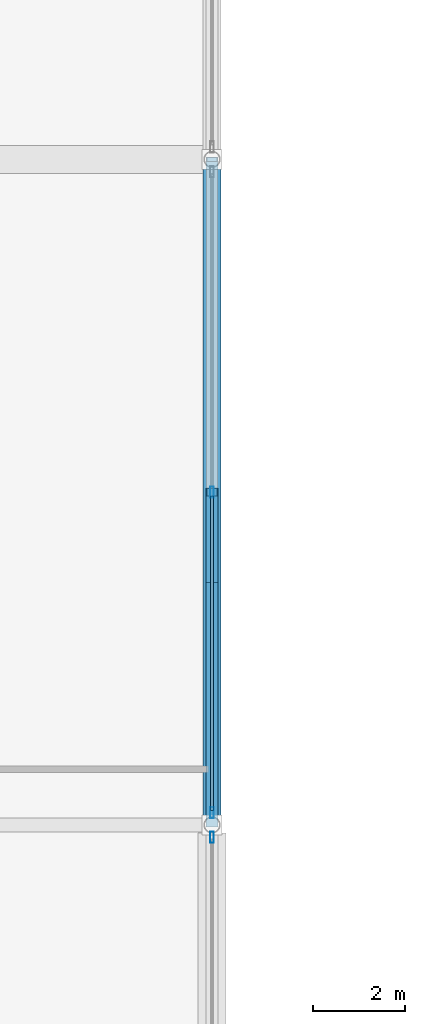
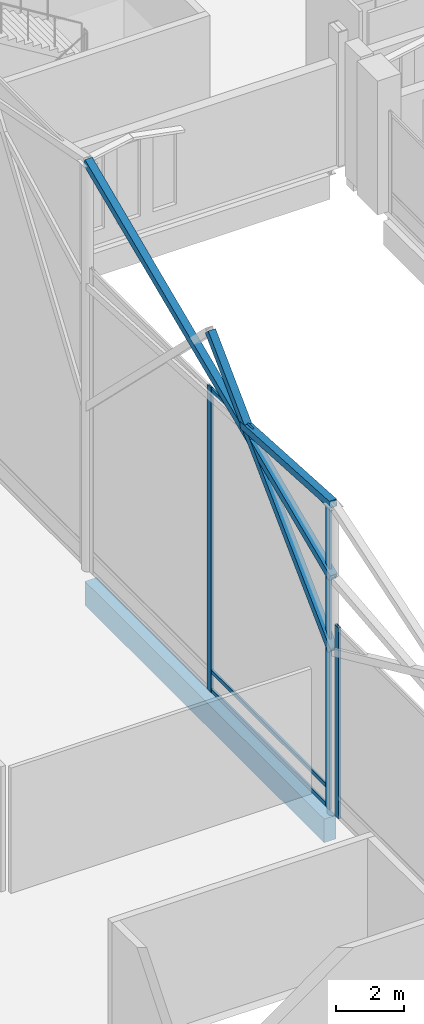
# One storey, part 65 of 220: 9 members, 1 beam, 2 elements without a shape of their own.
"""IFC4 building model written with IfcOpenShell, lengths in metres."""

from ifc_helpers import new_model, si_unit, direction, frame, origin, origin_2d, place, context, subcontext, project, spatial, rectangle, hollow_rectangle, extrude, material, material_profile, profile_set, type_object, element, aggregate, save


model = new_model("IFC4")

# Units and contexts
model_context = context("Model", 3, precision=1e-05, world=origin(), true_north=direction((0.0, 1.0)))
body_context = subcontext(model_context, "Body", "Model", "MODEL_VIEW")
ifc_project = project(units=[si_unit("LENGTHUNIT", "METRE"), si_unit("AREAUNIT", "SQUARE_METRE"), si_unit("VOLUMEUNIT", "CUBIC_METRE"), si_unit("PLANEANGLEUNIT", "RADIAN"), si_unit("MASSUNIT", "GRAM", prefix="KILO")], contexts=[model_context])

# Site, building, storey
site_placement = place(None, origin())
site = spatial("IfcSite", under=ifc_project, at=site_placement, CompositionType="ELEMENT")
building_placement = place(site_placement, origin())
building = spatial("IfcBuilding", under=site, at=building_placement, Name="Cendralis Lancet Convention Centre", CompositionType="ELEMENT")
storey_placement = place(building_placement, frame((0.0, 0.0, 5.39990234375)))
storey = spatial("IfcBuildingStorey", under=building, at=storey_placement, Name="L01", CompositionType="ELEMENT", Elevation=5.39990234375)

# Curtain wall, member
ifc_material_1 = material(Name="Anodised bronze architectural aluminium", Category="aluminium")
curtain_wall_type = type_object("IfcCurtainWallType", Name="ARC-CW-GB02", PredefinedType="USERDEFINED", material=ifc_material_1)
curtain_wall_1_placement = place(storey_placement, origin())
curtain_wall_1 = element("IfcCurtainWall", 1, at=curtain_wall_1_placement, inside=storey, type_object=curtain_wall_type, Name="L01 Curtain Wall CW-GB2 #105", ObjectType="CURTAIN WALL", PredefinedType="USERDEFINED")
ifc_material_profile_1 = material_profile(ifc_material_1, hollow_rectangle(XDim=0.080078125, YDim=0.239990234375, WallThickness=0.0048828125, at=origin_2d()), Name="AL-MULL 80x240x5.0")
ifc_profile_set_1 = profile_set([ifc_material_profile_1], Name="Anodised bronze architectural aluminium")
member_type_1 = type_object("IfcMemberType", Name="ARC-CW-ML03", PredefinedType="MULLION", material=ifc_profile_set_1)
member_1_placement = place(storey_placement, frame((122.39990234375, 64.5322265625, 0.0), z_axis=(0.0, 0.0, 1.0), x_axis=(1.0, 0.0, 0.0)))
member_1 = element("IfcMember", 2, at=member_1_placement, type_object=member_type_1, Name="Mullion CW2-CW-GB2-L01-105-M0", PredefinedType="MULLION", context=body_context, shape_type="SweptSolid", body=[
    extrude(hollow_rectangle(XDim=0.080078125, YDim=0.239990234375, WallThickness=0.0048828125, at=origin_2d()), origin(), (0.0, 0.0, 1.0), 6.85009765625),
])
aggregate(curtain_wall_1, [member_1])

# Curtain wall, members
curtain_wall_2_placement = place(storey_placement, origin())
curtain_wall_2 = element("IfcCurtainWall", 3, at=curtain_wall_2_placement, inside=storey, type_object=curtain_wall_type, Name="L01 Curtain Wall CW-GB2 #106", ObjectType="CURTAIN WALL", PredefinedType="USERDEFINED")
member_2_placement = place(storey_placement, frame((122.39990234375, 72.0, 0.0), z_axis=(0.0, 0.0, 1.0), x_axis=(1.0, 0.0, 0.0)))
member_2 = element("IfcMember", 4, at=member_2_placement, type_object=member_type_1, Name="Mullion CW2-CW-GB2-L01-106-M1", PredefinedType="MULLION", context=body_context, shape_type="SweptSolid", body=[
    extrude(hollow_rectangle(XDim=0.080078125, YDim=0.239990234375, WallThickness=0.0048828125, at=origin_2d()), origin(), (0.0, 0.0, 1.0), 10.901123046875),
])
member_3_placement = place(storey_placement, frame((122.39990234375, 65.06787109375, 0.0), z_axis=(0.0, 0.0, 1.0), x_axis=(1.0, 0.0, 0.0)))
member_3 = element("IfcMember", 5, at=member_3_placement, type_object=member_type_1, Name="Mullion CW2-CW-GB2-L01-106-M2", PredefinedType="MULLION", context=body_context, shape_type="SweptSolid", body=[
    extrude(hollow_rectangle(XDim=0.080078125, YDim=0.239990234375, WallThickness=0.0048828125, at=origin_2d()), origin(), (0.0, 0.0, 1.0), 10.901123046875),
])
ifc_material_profile_2 = material_profile(ifc_material_1, hollow_rectangle(XDim=0.070068359375, YDim=0.139892578125, WallThickness=0.00390625, at=origin_2d()), Name="AL-TRAN 70x140x4.0")
ifc_profile_set_2 = profile_set([ifc_material_profile_2], Name="Anodised bronze architectural aluminium")
member_type_2 = type_object("IfcMemberType", Name="ARC-CW-TR02", PredefinedType="USERDEFINED", material=ifc_profile_set_2)
member_4_placement = place(storey_placement, frame((122.39990234375, 71.919921875, 0.070068359375), z_axis=(0.0, -1.0, 0.0), x_axis=(1.0, 0.0, 0.0)))
member_4 = element("IfcMember", 6, at=member_4_placement, type_object=member_type_2, Name="Transom CW2-CW-GB2-L01-106-T1BOT", ObjectType="TRANSOM", PredefinedType="USERDEFINED", context=body_context, shape_type="SweptSolid", body=[
    extrude(hollow_rectangle(XDim=0.070068359375, YDim=0.139892578125, WallThickness=0.00390625, at=origin_2d()), origin(), (0.0, 0.0, 1.0), 6.81201171875),
])
member_5_placement = place(storey_placement, frame((122.39990234375, 71.919921875, 0.75), z_axis=(0.0, -1.0, 0.0), x_axis=(1.0, 0.0, 0.0)))
member_5 = element("IfcMember", 7, at=member_5_placement, type_object=member_type_2, Name="Transom CW2-CW-GB2-L01-106-T1MID", ObjectType="TRANSOM", PredefinedType="USERDEFINED", context=body_context, shape_type="SweptSolid", body=[
    extrude(hollow_rectangle(XDim=0.070068359375, YDim=0.139892578125, WallThickness=0.00390625, at=origin_2d()), origin(), (0.0, 0.0, 1.0), 6.81201171875),
])
member_6_placement = place(storey_placement, frame((122.39990234375, 71.919921875, 10.8310546875), z_axis=(0.0, -1.0, 0.0), x_axis=(1.0, 0.0, 0.0)))
member_6 = element("IfcMember", 8, at=member_6_placement, type_object=member_type_2, Name="Transom CW2-CW-GB2-L01-106-T1TOP", ObjectType="TRANSOM", PredefinedType="USERDEFINED", context=body_context, shape_type="SweptSolid", body=[
    extrude(hollow_rectangle(XDim=0.070068359375, YDim=0.139892578125, WallThickness=0.00390625, at=origin_2d()), origin(), (0.0, 0.0, 1.0), 6.81201171875),
])
aggregate(curtain_wall_2, [member_2, member_3, member_4, member_5, member_6])

# Members
ifc_material_2 = material(Name="Steel S355", Category="steel")
ifc_material_profile_3 = material_profile(ifc_material_2, hollow_rectangle(XDim=0.25, YDim=0.25, WallThickness=0.012451171875, at=origin_2d()), Name="SHS 250x250x12.5")
ifc_profile_set_3 = profile_set([ifc_material_profile_3], Name="Steel S355")
member_type_3 = type_object("IfcMemberType", Name="STR-BR-GB01", PredefinedType="BRACE", material=ifc_profile_set_3)
member_7_placement = place(storey_placement, frame((122.39990234375, 64.800048828125, 5.800048828125), z_axis=(0.0, 0.712944916229, 0.701220041373), x_axis=(-1.0, 0.0, 0.0)))
element("IfcMember", 9, at=member_7_placement, inside=storey, type_object=member_type_3, Name="Exhibition Gable Gothic Ogival Tracery Rib GBR1 #036", PredefinedType="BRACE", context=body_context, shape_type="SweptSolid", body=[
    extrude(hollow_rectangle(XDim=0.25, YDim=0.25, WallThickness=0.012451171875, at=origin_2d()), origin(), (0.0, 0.0, 1.0), 10.098876953125),
])
member_8_placement = place(storey_placement, frame((122.39990234375, 64.800048828125, 8.425537109375), z_axis=(0.0, 0.918930536726, 0.394419407069), x_axis=(-1.0, 0.0, 0.0)))
element("IfcMember", 10, at=member_8_placement, inside=storey, type_object=member_type_3, Name="Exhibition Gable Gothic Ogival Tracery Rib GBR1 #038", PredefinedType="BRACE", context=body_context, shape_type="SweptSolid", body=[
    extrude(hollow_rectangle(XDim=0.25, YDim=0.25, WallThickness=0.012451171875, at=origin_2d()), origin(), (0.0, 0.0, 1.0), 15.670166015625),
])
member_9_placement = place(storey_placement, frame((122.39990234375, 70.034423828125, 10.742919921875), z_axis=(0.0, -0.998272124662, 0.058760234203), x_axis=(1.0, 0.0, 0.0)))
element("IfcMember", 11, at=member_9_placement, inside=storey, type_object=member_type_3, Name="Exhibition Gable Split X-Brace Rib GBR1 #040", PredefinedType="BRACE", context=body_context, shape_type="SweptSolid", body=[
    extrude(hollow_rectangle(XDim=0.25, YDim=0.25, WallThickness=0.012451171875, at=origin_2d()), origin(), (0.0, 0.0, 1.0), 5.243408203125),
])

# Beam
ifc_material_3 = material(Name="Concrete G40 (C40/50)", Category="concrete")
ifc_material_profile_4 = material_profile(ifc_material_3, rectangle(XDim=0.39990234375, YDim=0.85009765625, at=origin_2d()), Name="RCB 400x850")
ifc_profile_set_4 = profile_set([ifc_material_profile_4], Name="Concrete G40 (C40/50)")
beam_type = type_object("IfcBeamType", Name="STR-SP-SP02", PredefinedType="SPANDREL", material=ifc_profile_set_4)
beam_placement = place(storey_placement, frame((122.39990234375, 64.977783203125, -0.704833984375), z_axis=(0.0, 1.0, 0.0), x_axis=(-1.0, 0.0, 0.0)))
element("IfcBeam", 12, at=beam_placement, inside=storey, type_object=beam_type, Name="L01 Beam SP02 #1288", PredefinedType="SPANDREL", context=body_context, shape_type="SweptSolid", body=[
    extrude(rectangle(XDim=0.39990234375, YDim=0.85009765625, at=origin_2d()), origin(), (0.0, 0.0, 1.0), 14.04443359375),
])

save(model, "model.ifc")
